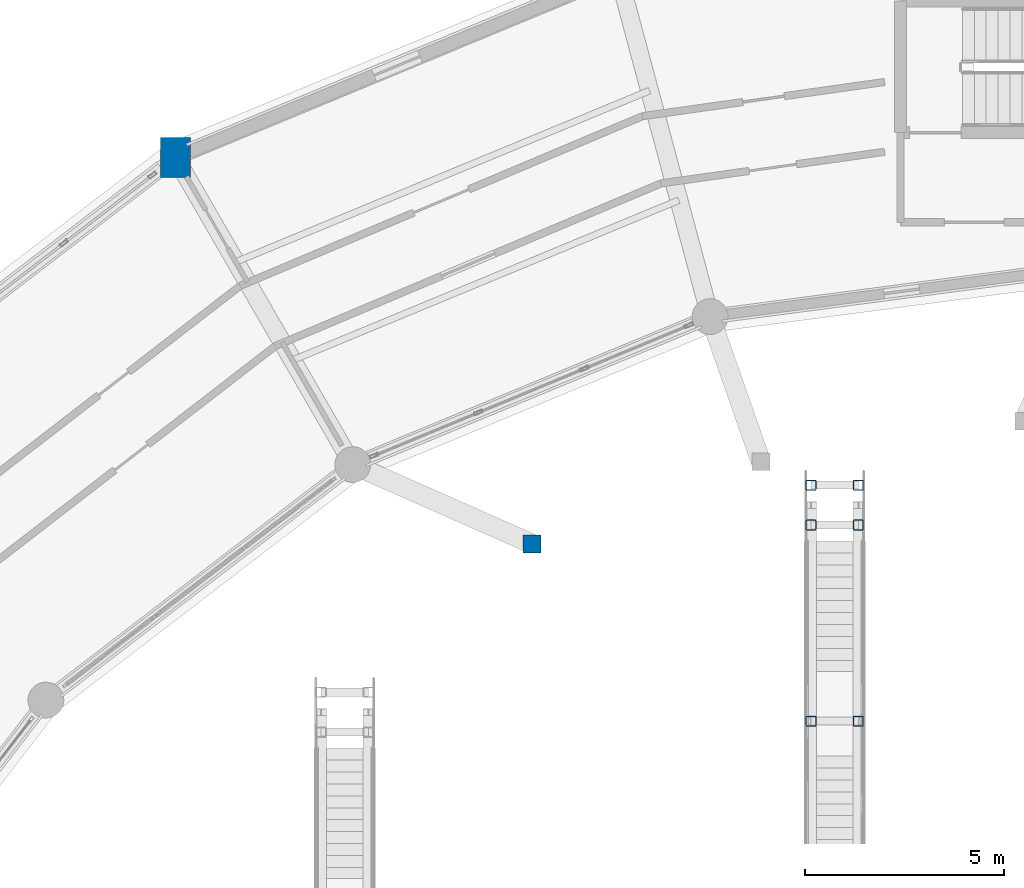
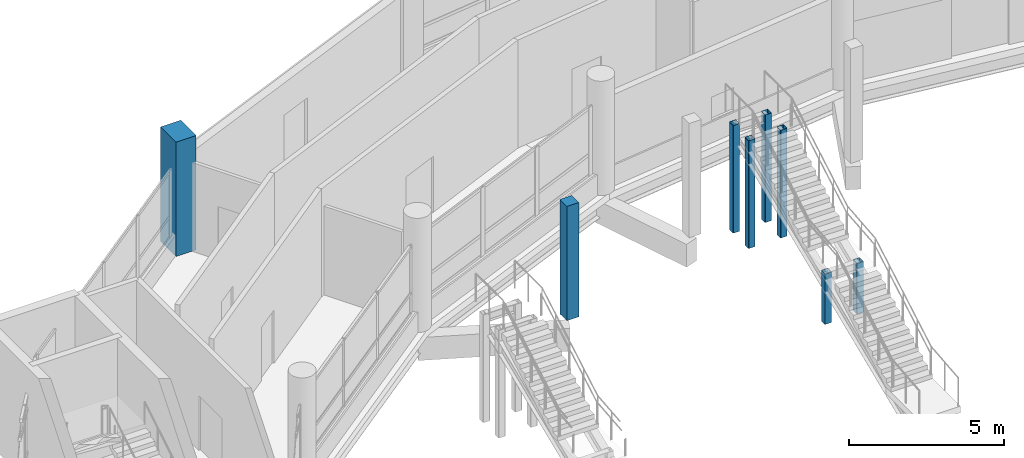
# One storey, part 9 of 129: 8 columns.
"""IFC4 building model written with IfcOpenShell, lengths in metres."""

from ifc_helpers import new_model, si_unit, direction, frame, origin, origin_2d, place, context, subcontext, project, spatial, rectangle, hollow_rectangle, extrude, material, material_profile, profile_set, type_object, element, save


model = new_model("IFC4")

# Units and contexts
model_context = context("Model", 3, precision=1e-05, world=origin(), true_north=direction((0.0, 1.0)))
body_context = subcontext(model_context, "Body", "Model", "MODEL_VIEW")
ifc_project = project(units=[si_unit("LENGTHUNIT", "METRE"), si_unit("AREAUNIT", "SQUARE_METRE"), si_unit("VOLUMEUNIT", "CUBIC_METRE"), si_unit("PLANEANGLEUNIT", "RADIAN"), si_unit("MASSUNIT", "GRAM", prefix="KILO")], contexts=[model_context])

# Site, building, storey
site_placement = place(None, origin())
site = spatial("IfcSite", under=ifc_project, at=site_placement, CompositionType="ELEMENT")
building_placement = place(site_placement, origin())
building = spatial("IfcBuilding", under=site, at=building_placement, Name="Vespera Passage Community Centre", CompositionType="ELEMENT")
storey_placement = place(building_placement, origin())
storey = spatial("IfcBuildingStorey", under=building, at=storey_placement, Name="L00", CompositionType="ELEMENT", Elevation=0.0)

# Columns
ifc_material_1 = material(Name="Steel ASTM A500 Grade C", Category="steel")
ifc_material_profile_1 = material_profile(ifc_material_1, hollow_rectangle(XDim=0.25390625, YDim=0.25390625, WallThickness=0.01171875, InnerFilletRadius=0.01171875, OuterFilletRadius=0.023681640625, at=origin_2d()), Name="HSS254X254X12.7")
ifc_profile_set_1 = profile_set([ifc_material_profile_1], Name="Steel ASTM A500 Grade C")
column_type_1 = type_object("IfcColumnType", Name="COL-HSS254E", PredefinedType="COLUMN", material=ifc_profile_set_1)
for number, where, z_axis, x_axis, name in (
    (1, (72.094970703125, 91.27490234375, 0.0), (0.0, 0.0, 1.0), (1.0, 0.0, 0.0), "ST-CRT-03 Pier M1"),
    (2, (70.905029296875, 91.27490234375, 0.0), (0.0, 0.0, 1.0), (1.0, 0.0, 0.0), "ST-CRT-03 Pier M2"),
):
    element("IfcColumn", number, at=place(storey_placement, frame(where, z_axis=z_axis, x_axis=x_axis)), inside=storey, type_object=column_type_1, Name=name, PredefinedType="COLUMN", context=body_context, shape_type="SweptSolid", body=[
        extrude(hollow_rectangle(XDim=0.25390625, YDim=0.25390625, WallThickness=0.01171875, InnerFilletRadius=0.01171875, OuterFilletRadius=0.023681640625, at=origin_2d()), origin(), (0.0, 0.0, 1.0), 1.989990234375),
    ])
for number, where, z_axis, x_axis, name in (
    (3, (72.094970703125, 96.199951171875, 0.0), (0.0, 0.0, 1.0), (1.0, 0.0, 0.0), "ST-CRT-03 Pier T1"),
    (4, (70.905029296875, 96.199951171875, 0.0), (0.0, 0.0, 1.0), (1.0, 0.0, 0.0), "ST-CRT-03 Pier T2"),
    (5, (72.094970703125, 97.199951171875, 0.0), (0.0, 0.0, 1.0), (1.0, 0.0, 0.0), "ST-CRT-03 Pier TF1"),
    (6, (70.905029296875, 97.199951171875, 0.0), (0.0, 0.0, 1.0), (1.0, 0.0, 0.0), "ST-CRT-03 Pier TF2"),
):
    element("IfcColumn", number, at=place(storey_placement, frame(where, z_axis=z_axis, x_axis=x_axis)), inside=storey, type_object=column_type_1, Name=name, PredefinedType="COLUMN", context=body_context, shape_type="SweptSolid", body=[
        extrude(hollow_rectangle(XDim=0.25390625, YDim=0.25390625, WallThickness=0.01171875, InnerFilletRadius=0.01171875, OuterFilletRadius=0.023681640625, at=origin_2d()), origin(), (0.0, 0.0, 1.0), 4.239990234375),
    ])
ifc_material_2 = material(Name="Concrete f'c 45 MPa", Category="concrete")
ifc_material_profile_2 = material_profile(ifc_material_2, rectangle(XDim=0.75, YDim=1.0, at=origin_2d()), Name="RC1000X750")
ifc_profile_set_2 = profile_set([ifc_material_profile_2], Name="Concrete f'c 45 MPa")
column_type_2 = type_object("IfcColumnType", Name="COL-RC1000X750E", PredefinedType="COLUMN", material=ifc_profile_set_2)
column_1_placement = place(storey_placement, frame((54.949951171875, 105.423828125, 0.0), z_axis=(0.0, 0.0, 1.0), x_axis=(1.0, 0.0, 0.0)))
element("IfcColumn", 7, at=column_1_placement, inside=storey, type_object=column_type_2, Name="L00 Column V4-O08", PredefinedType="COLUMN", context=body_context, shape_type="SweptSolid", body=[
    extrude(rectangle(XDim=0.75, YDim=1.0, at=origin_2d()), origin(), (0.0, 0.0, 1.0), 4.5),
])
ifc_material_3 = material(Name="Concrete f'c 45 MPa", Category="concrete")
ifc_material_profile_3 = material_profile(ifc_material_3, rectangle(XDim=0.449951171875, YDim=0.449951171875, at=origin_2d()), Name="RC450X450")
ifc_profile_set_3 = profile_set([ifc_material_profile_3], Name="Concrete f'c 45 MPa")
column_type_3 = type_object("IfcColumnType", Name="COL-RC450E", PredefinedType="COLUMN", material=ifc_profile_set_3)
column_2_placement = place(storey_placement, frame((63.90576171875, 95.725341796875, 0.0), z_axis=(0.0, 0.0, 1.0), x_axis=(1.0, 0.0, 0.0)))
element("IfcColumn", 8, at=column_2_placement, inside=storey, type_object=column_type_3, Name="L00 Column CTERR-C03", PredefinedType="COLUMN", context=body_context, shape_type="SweptSolid", body=[
    extrude(rectangle(XDim=0.449951171875, YDim=0.449951171875, at=origin_2d()), origin(), (0.0, 0.0, 1.0), 4.5),
])

save(model, "model.ifc")
